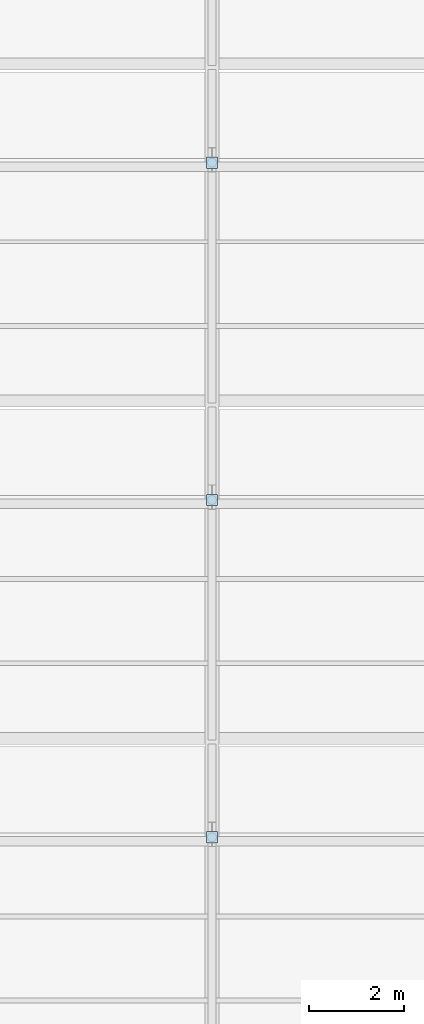
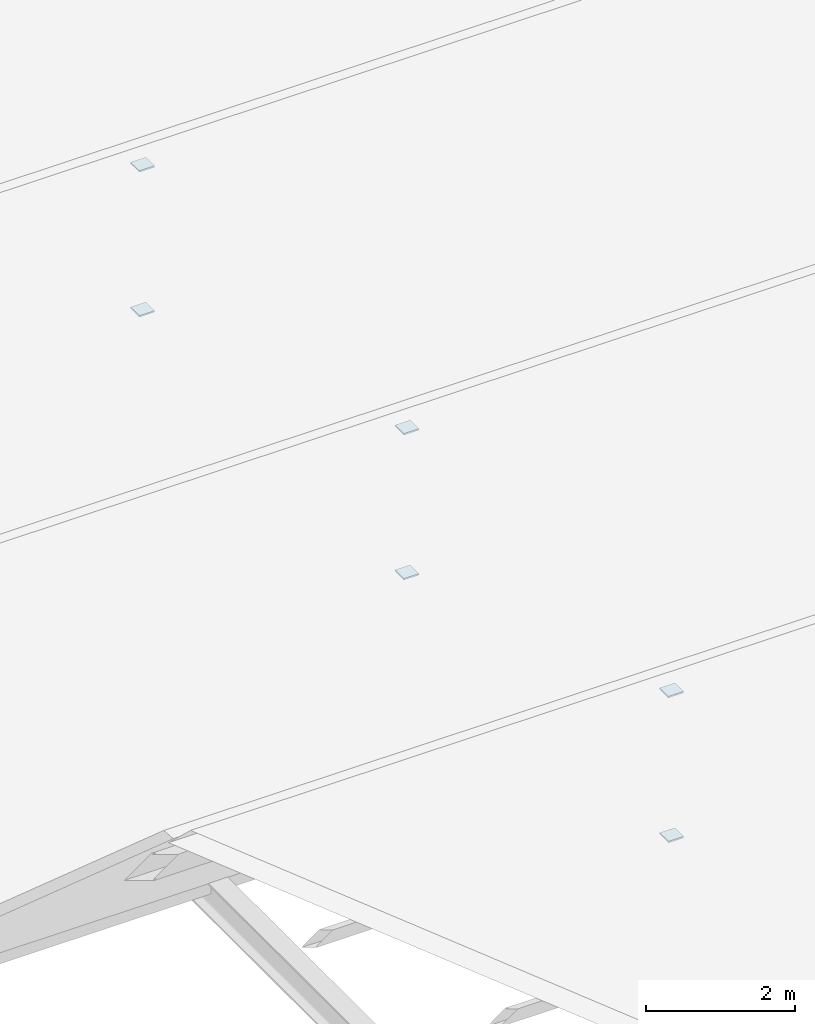
# One storey, part 109 of 138: 6 plates.
"""IFC4 building model written with IfcOpenShell, lengths in metres."""

import ifcopenshell
import ifcopenshell.guid

model = None  # the IFC model being written
_history = None  # IfcOwnerHistory: only IFC2X3 demands one
_inside = {}  # id of a spatial element -> (the spatial element, [elements in it])
_under = {}  # id of a project, library or spatial element -> (it, [spatial elements below it])
_declared = {}  # id of a project -> (the project, [libraries it declares])
_typed = {}  # id of a type object -> (the type object, [elements of that type])
_made_of = {}  # id of a material, layer set ... -> (it, [elements and type objects made of it])


def new_model(schema):
    """Start an empty IFC model of exactly this schema.

    Asked for "IFC4X3", IfcOpenShell would pick the latest addendum, in which some entities
    have other attributes; the version numbers below select the first issue.
    IFC2X3 requires an IfcOwnerHistory on every rooted entity: one is made here for all.
    """
    global model, _history
    if schema == "IFC4X3":
        model = ifcopenshell.file(schema_version=(4, 3, 0, 0))
    else:
        model = ifcopenshell.file(schema=schema)
    _inside.clear()
    _under.clear()
    _declared.clear()
    _typed.clear()
    _made_of.clear()
    _history = None
    if model.schema == "IFC2X3":
        org = make("IfcOrganization", Name="unknown")
        user = make(
            "IfcPersonAndOrganization",
            ThePerson=make("IfcPerson", FamilyName="unknown"),
            TheOrganization=org,
        )
        app = make(
            "IfcApplication",
            ApplicationDeveloper=org,
            Version="unknown",
            ApplicationFullName="unknown",
            ApplicationIdentifier="unknown",
        )
        _history = make(
            "IfcOwnerHistory",
            OwningUser=user,
            OwningApplication=app,
            ChangeAction="ADDED",
            CreationDate=0,
        )
    return model


def make(cls, **values):
    """One entity of the class cls with the attributes given. An attribute that is None is left unset."""
    return model.create_entity(
        cls, **{name: value for name, value in values.items() if value is not None}
    )


def rooted(cls, **values):
    """An entity with a GlobalId (a new one), such as an element, a storey or a relation."""
    return make(cls, GlobalId=ifcopenshell.guid.new(), OwnerHistory=_history, **values)


def si_unit(unit_type, name, prefix=None):
    """IfcSIUnit, for example si_unit("LENGTHUNIT", "METRE", prefix="MILLI")."""
    return make("IfcSIUnit", UnitType=unit_type, Prefix=prefix, Name=name)


def assignment(units):
    """IfcUnitAssignment: the units of a project."""
    return None if units is None else make("IfcUnitAssignment", Units=units)


def point(xyz):
    """IfcCartesianPoint."""
    return None if xyz is None else make("IfcCartesianPoint", Coordinates=xyz)


def direction(xyz):
    """IfcDirection."""
    return None if xyz is None else make("IfcDirection", DirectionRatios=xyz)


def frame(location, z_axis=None, x_axis=None):
    """IfcAxis2Placement3D, a coordinate frame: its origin and axes. An axis left out is left unset."""
    return make(
        "IfcAxis2Placement3D",
        Location=point(location),
        Axis=direction(z_axis),
        RefDirection=direction(x_axis),
    )


def frame_2d(location, x_axis=None):
    """IfcAxis2Placement2D, a coordinate frame in the plane: its origin and x axis."""
    return make(
        "IfcAxis2Placement2D", Location=point(location), RefDirection=direction(x_axis)
    )


def origin():
    """The frame at (0, 0, 0) with its axes left unset."""
    return frame((0.0, 0.0, 0.0))


def origin_2d():
    """The frame at (0, 0) in the plane with its x axis left unset."""
    return frame_2d((0.0, 0.0))


def place(relative_to, where):
    """IfcLocalPlacement: puts the frame where relative to a parent placement (None: the world)."""
    return make(
        "IfcLocalPlacement", PlacementRelTo=relative_to, RelativePlacement=where
    )


def context(
    kind, dimensions, precision=None, world=None, true_north=None, identifier=None
):
    """IfcGeometricRepresentationContext, for example the 3D "Model" context."""
    return make(
        "IfcGeometricRepresentationContext",
        ContextIdentifier=identifier,
        ContextType=kind,
        CoordinateSpaceDimension=dimensions,
        Precision=precision,
        WorldCoordinateSystem=world,
        TrueNorth=true_north,
    )


def subcontext(parent, identifier, kind, view, scale=None):
    """IfcGeometricRepresentationSubContext, for example "Body" below "Model"."""
    return make(
        "IfcGeometricRepresentationSubContext",
        ContextIdentifier=identifier,
        ContextType=kind,
        ParentContext=parent,
        TargetScale=scale,
        TargetView=view,
    )


def project(units=None, contexts=None):
    """IfcProject with its units and contexts."""
    return rooted(
        "IfcProject",
        Name="project",
        RepresentationContexts=contexts,
        UnitsInContext=assignment(units),
    )


def spatial(cls, under=None, at=None, **own):
    """A site, building, storey or space (cls), placed at a placement, below another one or the project."""
    s = rooted(cls, ObjectPlacement=at, **own)
    if under is not None:
        _under.setdefault(under.id(), (under, []))[1].append(s)
    return s


def profile(cls, at=None, kind="AREA", **sizes):
    """A parametric profile (cls). Its sizes go by their IFC names, for example OverallWidth=200.0."""
    return make(cls, ProfileType=kind, Position=at, **sizes)


def rectangle(**sizes):
    """IfcRectangleProfileDef."""
    return profile("IfcRectangleProfileDef", **sizes)


def extrude(swept, where, along, depth):
    """IfcExtrudedAreaSolid: the profile swept, set in the frame where, extruded along a direction by depth."""
    return make(
        "IfcExtrudedAreaSolid",
        SweptArea=swept,
        Position=where,
        ExtrudedDirection=direction(along),
        Depth=depth,
    )


def shape(context_of_items, identifier, shape_type, items):
    """IfcShapeRepresentation: the items that make up one representation, for example the "Body"."""
    return make(
        "IfcShapeRepresentation",
        ContextOfItems=context_of_items,
        RepresentationIdentifier=identifier,
        RepresentationType=shape_type,
        Items=items,
    )


def material(Name=None, Category=None):
    """IfcMaterial."""
    return make("IfcMaterial", Name=Name, Category=Category)


def material_profile(
    of_material, cross_section, Name=None, Category=None, Priority=None
):
    """IfcMaterialProfile: a cross section and its material."""
    return make(
        "IfcMaterialProfile",
        Name=Name,
        Material=of_material,
        Profile=cross_section,
        Priority=Priority,
        Category=Category,
    )


def profile_set(profiles, Name=None, composite=None):
    """IfcMaterialProfileSet."""
    return make(
        "IfcMaterialProfileSet",
        Name=Name,
        MaterialProfiles=profiles,
        CompositeProfile=composite,
    )


def made_of(thing, what):
    """Note that an element or type object is made of a material, layer set ...; save() writes the relation."""
    if what is not None:
        _made_of.setdefault(what.id(), (what, []))[1].append(thing)
    return thing


def type_object(cls, material=None, **own):
    """A type object (cls), such as IfcWallType, which elements share."""
    return made_of(rooted(cls, **own), material)


def element(
    cls,
    number,
    at=None,
    inside=None,
    cuts=None,
    type_object=None,
    material=None,
    context=None,
    identifier="Body",
    shape_type=None,
    held_by="IfcProductDefinitionShape",
    body=None,
    shapes=None,
    **own,
):
    """One element of the class cls, such as IfcWall. Its Tag is "e" and its number.

    at: its placement. inside: the storey or other place that contains it. cuts: it is an
    opening in that element (IfcRelVoidsElement). A single representation is given by context,
    identifier, shape_type and body (its items); several are given by shapes. held_by: the class
    of the entity that holds the representations. save() writes the other relations.
    """
    e = rooted(cls, Tag="e%d" % number, ObjectPlacement=at, **own)
    if body is not None:
        shapes = [shape(context, identifier, shape_type, body)]
    if shapes is not None:
        e.Representation = make(held_by, Representations=shapes)
    if inside is not None:
        _inside.setdefault(inside.id(), (inside, []))[1].append(e)
    if cuts is not None:
        rooted(
            "IfcRelVoidsElement", RelatingBuildingElement=cuts, RelatedOpeningElement=e
        )
    if type_object is not None:
        _typed.setdefault(type_object.id(), (type_object, []))[1].append(e)
    return made_of(e, material)


def aggregate(whole, parts):
    """IfcRelAggregates: a whole, such as a stair, and the parts it consists of."""
    return rooted("IfcRelAggregates", RelatingObject=whole, RelatedObjects=parts)


def save(model, path):
    """Write the relations noted so far, then the file.

    IfcRelAggregates (storeys below a building ...), IfcRelContainedInSpatialStructure (elements
    in a storey), IfcRelDefinesByType, IfcRelAssociatesMaterial and IfcRelDeclares: one each for
    every whole, place, type object, material and project.
    """
    for whole, parts in _under.values():
        aggregate(whole, parts)
    for where, things in _inside.values():
        rooted(
            "IfcRelContainedInSpatialStructure",
            RelatedElements=things,
            RelatingStructure=where,
        )
    for kind, things in _typed.values():
        rooted("IfcRelDefinesByType", RelatedObjects=things, RelatingType=kind)
    for what, things in _made_of.values():
        rooted("IfcRelAssociatesMaterial", RelatedObjects=things, RelatingMaterial=what)
    for by, libraries in _declared.values():
        rooted("IfcRelDeclares", RelatingContext=by, RelatedDefinitions=libraries)
    model.write(path)


model = new_model("IFC4")

# Units and contexts
model_context = context("Model", 3, precision=1e-05, world=origin(), true_north=direction((0.0, 1.0)))
body_context = subcontext(model_context, "Body", "Model", "MODEL_VIEW")
ifc_project = project(units=[si_unit("LENGTHUNIT", "METRE"), si_unit("AREAUNIT", "SQUARE_METRE"), si_unit("VOLUMEUNIT", "CUBIC_METRE"), si_unit("PLANEANGLEUNIT", "RADIAN"), si_unit("MASSUNIT", "GRAM", prefix="KILO")], contexts=[model_context])

# Site, building, storey
site_placement = place(None, origin())
site = spatial("IfcSite", under=ifc_project, at=site_placement, CompositionType="ELEMENT")
building_placement = place(site_placement, origin())
building = spatial("IfcBuilding", under=site, at=building_placement, Name="Vinh Khe Railworks Police Headquarters", CompositionType="ELEMENT")
storey_placement = place(building_placement, frame((0.0, 0.0, 9.0)))
storey = spatial("IfcBuildingStorey", under=building, at=storey_placement, Name="L02", CompositionType="ELEMENT", Elevation=9.0)

# Plates
ifc_material = material(Name="Steel S355JR", Category="steel")
ifc_material_profile = material_profile(ifc_material, rectangle(XDim=0.23388671875, YDim=0.23388671875, at=origin_2d()), Name="PL 234x234")
ifc_profile_set = profile_set([ifc_material_profile], Name="Steel S355JR")
plate_type = type_object("IfcPlateType", Name="Steel End-Cap Plate 234x234x24", PredefinedType="SHEET", material=ifc_profile_set)
for number, where, z_axis, x_axis, name in (
    (1, (46.199951171875, 143.10009765625, 0.199951171875), (0.0, 0.0, -1.0), (1.0, 0.0, 0.0), "End-Cap Gusset Plate PLT-EP-0458"),
    (2, (46.199951171875, 143.10009765625, 2.550048828125), (0.0, 0.0, 1.0), (1.0, 0.0, 0.0), "End-Cap Gusset Plate PLT-EP-0459"),
    (3, (46.199951171875, 150.199951171875, 0.199951171875), (0.0, 0.0, -1.0), (1.0, 0.0, 0.0), "End-Cap Gusset Plate PLT-EP-0460"),
    (4, (46.199951171875, 150.199951171875, 2.550048828125), (0.0, 0.0, 1.0), (1.0, 0.0, 0.0), "End-Cap Gusset Plate PLT-EP-0461"),
    (5, (46.199951171875, 157.300048828125, 0.199951171875), (0.0, 0.0, -1.0), (1.0, 0.0, 0.0), "End-Cap Gusset Plate PLT-EP-0462"),
    (6, (46.199951171875, 157.300048828125, 2.550048828125), (0.0, 0.0, 1.0), (1.0, 0.0, 0.0), "End-Cap Gusset Plate PLT-EP-0463"),
):
    element("IfcPlate", number, at=place(storey_placement, frame(where, z_axis=z_axis, x_axis=x_axis)), inside=storey, type_object=plate_type, Name=name, PredefinedType="SHEET", context=body_context, shape_type="SweptSolid", body=[
        extrude(rectangle(XDim=0.23388671875, YDim=0.23388671875, at=origin_2d()), origin(), (0.0, 0.0, 1.0), 0.02392578125),
    ])

save(model, "model.ifc")
